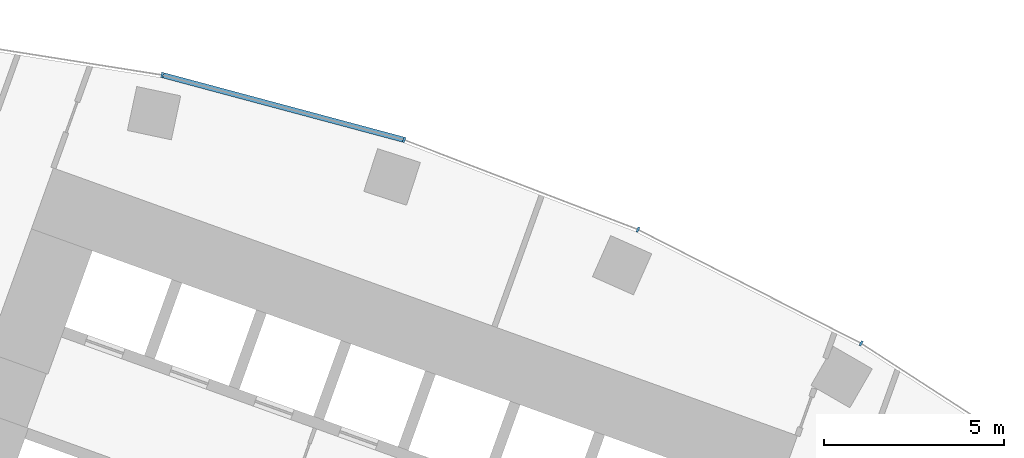
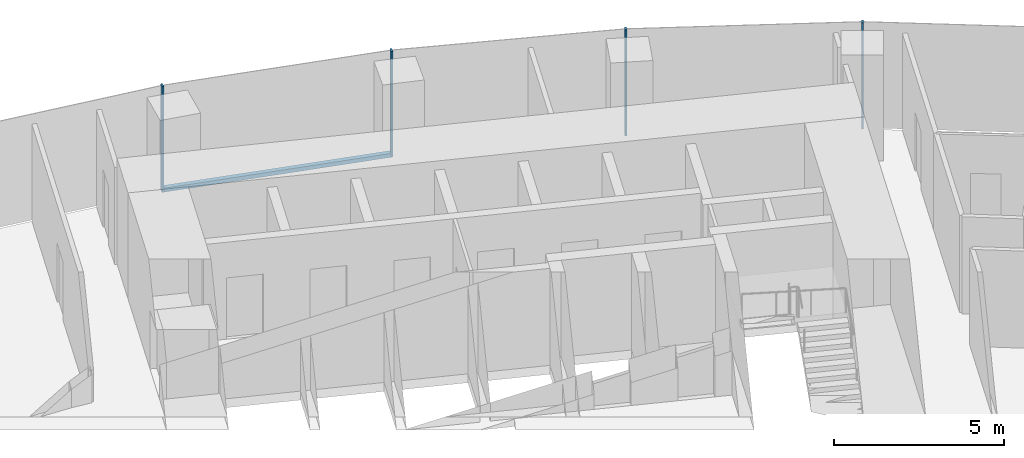
# One storey, part 11 of 21: 5 members, 1 element without a shape of its own.
"""IFC4 building model written with IfcOpenShell, lengths in metres."""

from ifc_helpers import new_model, si_unit, direction, frame, origin, origin_2d, place, context, subcontext, project, spatial, rectangle, extrude, material, layer, layer_set, material_profile, profile_set, type_object, element, aggregate, save


model = new_model("IFC4")

# Units and contexts
model_context = context("Model", 3, precision=1e-05, world=origin(), true_north=direction((0.0, 1.0)))
body_context = subcontext(model_context, "Body", "Model", "MODEL_VIEW")
ifc_project = project(units=[si_unit("LENGTHUNIT", "METRE"), si_unit("AREAUNIT", "SQUARE_METRE"), si_unit("VOLUMEUNIT", "CUBIC_METRE"), si_unit("PLANEANGLEUNIT", "RADIAN"), si_unit("MASSUNIT", "GRAM", prefix="KILO")], contexts=[model_context])

# Site, building, storey
site_placement = place(None, origin())
site = spatial("IfcSite", under=ifc_project, at=site_placement, CompositionType="ELEMENT")
building_placement = place(site_placement, origin())
building = spatial("IfcBuilding", under=site, at=building_placement, Name="Stone Belt Terrace Tower", CompositionType="ELEMENT")
storey_placement = place(building_placement, frame((0.0, 0.0, 33.800048828125)))
storey = spatial("IfcBuildingStorey", under=building, at=storey_placement, Name="L07", CompositionType="ELEMENT", Elevation=33.800048828125)

# Curtain wall, members
ifc_material = material(Name="Aluminium 6063-T6 anodised frame", Category="aluminium")
ifc_layer = layer(ifc_material, 0.14990234375)
ifc_layer_set = layer_set([ifc_layer], Name="CW-A unitised convex-face curtain wall")
curtain_wall_type = type_object("IfcCurtainWallType", Name="CW-A unitised convex-face curtain wall", PredefinedType="NOTDEFINED", material=ifc_layer_set)
curtain_wall_placement = place(storey_placement, origin())
curtain_wall = element("IfcCurtainWall", 1, at=curtain_wall_placement, inside=storey, type_object=curtain_wall_type, Name="CW-A convex face L07", PredefinedType="NOTDEFINED")
ifc_material_profile_1 = material_profile(ifc_material, rectangle(XDim=0.14990234375, YDim=0.06005859375, at=origin_2d()), Name="Aluminium 6063-T6 60x150")
ifc_profile_set_1 = profile_set([ifc_material_profile_1], Name="Aluminium 6063-T6 anodised frame")
member_type_1 = type_object("IfcMemberType", Name="CW-A mullion 60 x 150", PredefinedType="MULLION", material=ifc_profile_set_1)
member_1_placement = place(storey_placement, frame((33.28759765625, 57.65576171875, 0.0), z_axis=(0.0, 0.0, 1.0), x_axis=(-0.5, -0.866025403784, 0.0)))
member_1 = element("IfcMember", 2, at=member_1_placement, type_object=member_type_1, Name="CW-A mullion 5", PredefinedType="MULLION", context=body_context, shape_type="SweptSolid", body=[
    extrude(rectangle(XDim=0.14990234375, YDim=0.06005859375, at=origin_2d()), origin(), (0.0, 0.0, 1.0), 3.800048828125),
])
member_2_placement = place(storey_placement, frame((27.07861328125, 60.8193359375, 0.0), z_axis=(0.0, 0.0, 1.0), x_axis=(-0.406736643076, -0.913545457643, 0.0)))
member_2 = element("IfcMember", 3, at=member_2_placement, type_object=member_type_1, Name="CW-A mullion 6", PredefinedType="MULLION", context=body_context, shape_type="SweptSolid", body=[
    extrude(rectangle(XDim=0.14990234375, YDim=0.06005859375, at=origin_2d()), origin(), (0.0, 0.0, 1.0), 3.800048828125),
])
member_3_placement = place(storey_placement, frame((20.57275390625, 63.316650390625, 0.0), z_axis=(0.0, 0.0, 1.0), x_axis=(-0.309016994375, -0.951056516295, 0.0)))
member_3 = element("IfcMember", 4, at=member_3_placement, type_object=member_type_1, Name="CW-A mullion 7", PredefinedType="MULLION", context=body_context, shape_type="SweptSolid", body=[
    extrude(rectangle(XDim=0.14990234375, YDim=0.06005859375, at=origin_2d()), origin(), (0.0, 0.0, 1.0), 3.800048828125),
])
member_4_placement = place(storey_placement, frame((13.841796875, 65.120361328125, 0.0), z_axis=(0.0, 0.0, 1.0), x_axis=(-0.207911690818, -0.978147600734, 0.0)))
member_4 = element("IfcMember", 5, at=member_4_placement, type_object=member_type_1, Name="CW-A mullion 8", PredefinedType="MULLION", context=body_context, shape_type="SweptSolid", body=[
    extrude(rectangle(XDim=0.14990234375, YDim=0.06005859375, at=origin_2d()), origin(), (0.0, 0.0, 1.0), 3.800048828125),
])
ifc_material_profile_2 = material_profile(ifc_material, rectangle(XDim=0.14990234375, YDim=0.139892578125, at=origin_2d()), Name="Aluminium 6063-T6 150x140")
ifc_profile_set_2 = profile_set([ifc_material_profile_2], Name="Aluminium 6063-T6 anodised frame")
member_type_2 = type_object("IfcMemberType", Name="CW-A transom 140 x 150", PredefinedType="USERDEFINED", material=ifc_profile_set_2)
member_5_placement = place(storey_placement, frame((20.5400390625, 63.325439453125, 0.070068359375), z_axis=(-0.965921835863, 0.258833937117, 0.0), x_axis=(-0.258833937117, -0.965921835863, 0.0)))
member_5 = element("IfcMember", 6, at=member_5_placement, type_object=member_type_2, Name="CW-A transom 7.1", ObjectType="TRANSOM", PredefinedType="USERDEFINED", context=body_context, shape_type="SweptSolid", body=[
    extrude(rectangle(XDim=0.14990234375, YDim=0.139892578125, at=origin_2d()), origin(), (0.0, 0.0, 1.0), 6.900634765625),
])
aggregate(curtain_wall, [member_1, member_2, member_3, member_4, member_5])

save(model, "model.ifc")
